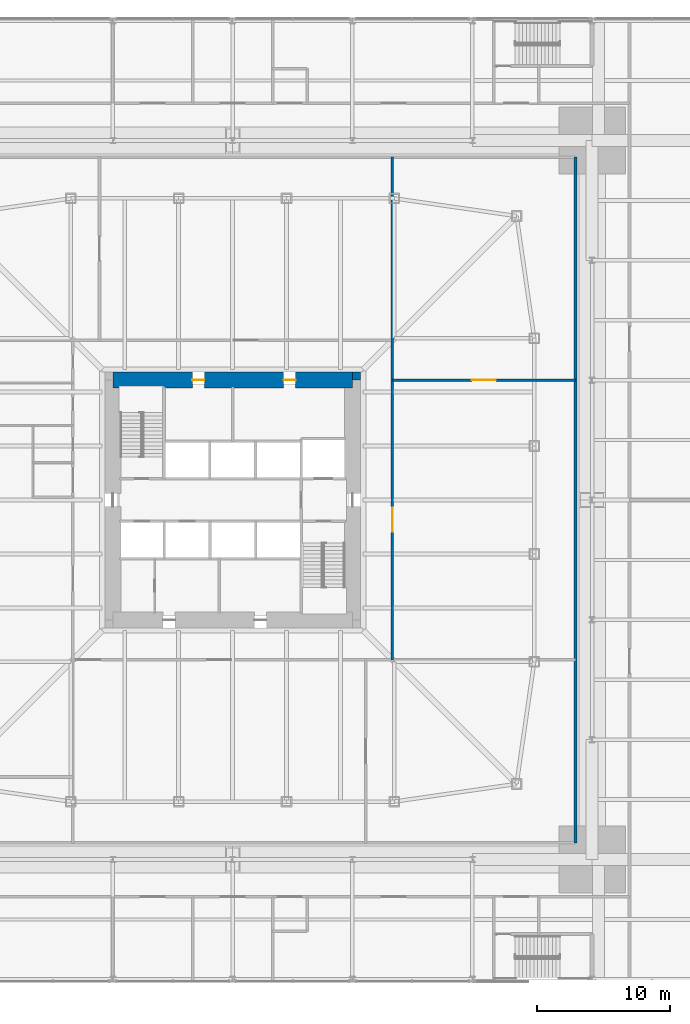
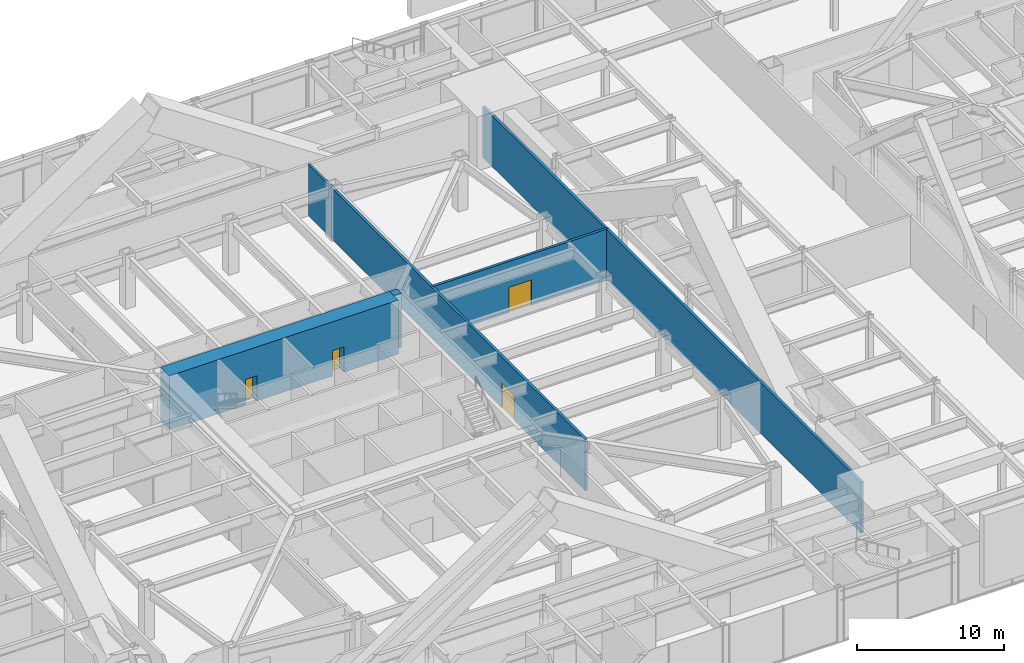
# One storey, part 23 of 32: 5 walls, 4 doors, 4 openings.
"""IFC4 building model written with IfcOpenShell, lengths in metres."""

from ifc_helpers import new_model, si_unit, direction, frame, frame_2d, origin, place, context, subcontext, project, spatial, rectangle, extrude, material, layer, layer_set, type_object, element, fill, save


model = new_model("IFC4")

# Units and contexts
model_context = context("Model", 3, precision=1e-05, world=origin(), true_north=direction((0.0, 1.0)))
body_context = subcontext(model_context, "Body", "Model", "MODEL_VIEW")
ifc_project = project(units=[si_unit("LENGTHUNIT", "METRE"), si_unit("AREAUNIT", "SQUARE_METRE"), si_unit("VOLUMEUNIT", "CUBIC_METRE"), si_unit("PLANEANGLEUNIT", "RADIAN"), si_unit("MASSUNIT", "GRAM", prefix="KILO")], contexts=[model_context])

# Site, building, storey
site_placement = place(None, origin())
site = spatial("IfcSite", under=ifc_project, at=site_placement, CompositionType="ELEMENT")
building_placement = place(site_placement, origin())
building = spatial("IfcBuilding", under=site, at=building_placement, Name="Iwan Alto Co-Living Towers", CompositionType="ELEMENT")
storey_placement = place(building_placement, frame((0.0, 0.0, 6.0)))
storey = spatial("IfcBuildingStorey", under=building, at=storey_placement, Name="L01", CompositionType="ELEMENT", Elevation=6.0)

# Wall, opening, door
ifc_material_1 = material(Name="Concrete block masonry f*p 10 MPa", Category="masonry")
ifc_layer_1 = layer(ifc_material_1, 0.199951171875)
ifc_layer_set_1 = layer_set([ifc_layer_1], Name="PODIUM INTERNAL WALL 200")
wall_type_1 = type_object("IfcWallType", Name="PODIUM INTERNAL WALL 200", PredefinedType="SOLIDWALL", material=ifc_layer_set_1)
wall_1_placement = place(storey_placement, frame((12.0, 9.0, 0.0), z_axis=(0.0, 0.0, 1.0), x_axis=(1.0, 0.0, 0.0)))
wall_1 = element("IfcWall", 1, at=wall_1_placement, inside=storey, type_object=wall_type_1, Name="Partition L01", PredefinedType="SOLIDWALL", context=body_context, shape_type="SweptSolid", body=[
    extrude(rectangle(XDim=13.75, YDim=0.199951171875, at=frame_2d((6.875, 0.0))), origin(), (0.0, 0.0, 1.0), 4.25),
])
opening_1_placement = place(wall_1_placement, frame((5.97509765625, 0.0, 0.0)))
opening_1 = element("IfcOpeningElement", 2, at=opening_1_placement, cuts=wall_1, Name="Opening D9", PredefinedType="OPENING", context=body_context, shape_type="SweptSolid", body=[
    extrude(rectangle(XDim=1.800048828125, YDim=2.10009765625, at=frame_2d((0.89990234375, 1.050048828125))), frame((0.0, 0.10986328125, 0.0), z_axis=(0.0, -1.0, 0.0), x_axis=(1.0, 0.0, 0.0)), (0.0, 0.0, 1.0), 0.219970703125),
])
ifc_material_2 = material(Name="Steel frame with timber leaf", Category="steel")
door_type_1 = type_object("IfcDoorType", Name="LOUNGE DOOR FD30S 1800X2100", OperationType="DOUBLE_DOOR_SINGLE_SWING", PredefinedType="DOOR", material=ifc_material_2)
door_1_placement = place(opening_1_placement, frame((1.800048828125, 0.0, 0.0), z_axis=(0.0, 0.0, 1.0), x_axis=(-1.0, 0.0, 0.0)))
door_1 = element("IfcDoor", 3, at=door_1_placement, inside=storey, type_object=door_type_1, Name="Meeting room door L01", OperationType="DOUBLE_DOOR_SINGLE_SWING", OverallHeight=2.10009765625, OverallWidth=1.800048828125, PredefinedType="DOOR", context=body_context, shape_type="SweptSolid", body=[
    extrude(rectangle(XDim=1.800048828125, YDim=2.10009765625, at=frame_2d((0.89990234375, 1.050048828125))), frame((0.0, 0.02490234375, 0.0), z_axis=(0.0, -1.0, 0.0), x_axis=(1.0, 0.0, 0.0)), (0.0, 0.0, 1.0), 0.050048828125),
])
fill(opening_1, door_1)

# Wall
wall_2_placement = place(storey_placement, frame((25.75, -25.75, 0.0), z_axis=(0.0, 0.0, 1.0), x_axis=(0.0, 1.0, 0.0)))
element("IfcWall", 4, at=wall_2_placement, inside=storey, type_object=wall_type_1, Name="Partition L01", PredefinedType="SOLIDWALL", context=body_context, shape_type="SweptSolid", body=[
    extrude(rectangle(XDim=51.5, YDim=0.199951171875, at=frame_2d((25.75, 0.0))), origin(), (0.0, 0.0, 1.0), 4.25),
])

# Wall, opening, door
wall_3_placement = place(storey_placement, frame((12.0, -12.0, 0.0), z_axis=(0.0, 0.0, 1.0), x_axis=(0.0, 1.0, 0.0)))
wall_3 = element("IfcWall", 5, at=wall_3_placement, inside=storey, type_object=wall_type_1, Name="Partition L01", PredefinedType="SOLIDWALL", context=body_context, shape_type="SweptSolid", body=[
    extrude(rectangle(XDim=37.75, YDim=0.199951171875, at=frame_2d((18.875, 0.0))), origin(), (0.0, 0.0, 1.0), 4.25),
])
opening_2_placement = place(wall_3_placement, frame((9.60009765625, 0.0, 0.0)))
opening_2 = element("IfcOpeningElement", 6, at=opening_2_placement, cuts=wall_3, Name="Opening D9", PredefinedType="OPENING", context=body_context, shape_type="SweptSolid", body=[
    extrude(rectangle(XDim=1.800048828125, YDim=2.10009765625, at=frame_2d((0.89990234375, 1.050048828125))), frame((0.0, 0.10986328125, 0.0), z_axis=(0.0, -1.0, 0.0), x_axis=(1.0, 0.0, 0.0)), (0.0, 0.0, 1.0), 0.219970703125),
])
door_2_placement = place(opening_2_placement, frame((1.800048828125, 0.0, 0.0), z_axis=(0.0, 0.0, 1.0), x_axis=(-1.0, 0.0, 0.0)))
door_2 = element("IfcDoor", 7, at=door_2_placement, inside=storey, type_object=door_type_1, Name="Residents' study hall door L01", OperationType="DOUBLE_DOOR_SINGLE_SWING", OverallHeight=2.10009765625, OverallWidth=1.800048828125, PredefinedType="DOOR", context=body_context, shape_type="SweptSolid", body=[
    extrude(rectangle(XDim=1.800048828125, YDim=2.10009765625, at=frame_2d((0.89990234375, 1.050048828125))), frame((0.0, 0.02490234375, 0.0), z_axis=(0.0, -1.0, 0.0), x_axis=(1.0, 0.0, 0.0)), (0.0, 0.0, 1.0), 0.050048828125),
])
fill(opening_2, door_2)

# Wall
ifc_material_3 = material(Name="Concrete f'c 70 MPa", Category="concrete")
ifc_layer_2 = layer(ifc_material_3, 0.60009765625)
ifc_layer_set_2 = layer_set([ifc_layer_2], Name="T1 CORE CORNER FILL 600")
wall_type_2 = type_object("IfcWallType", Name="T1 CORE CORNER FILL 600", PredefinedType="SOLIDWALL", material=ifc_layer_set_2)
wall_4_placement = place(storey_placement, frame((9.0, 9.300048828125, 0.0), z_axis=(0.0, 0.0, 1.0), x_axis=(1.0, 0.0, 0.0)))
element("IfcWall", 8, at=wall_4_placement, inside=storey, type_object=wall_type_2, Name="T1 core corner NE L01", PredefinedType="SOLIDWALL", context=body_context, shape_type="SweptSolid", body=[
    extrude(rectangle(XDim=0.60009765625, YDim=0.60009765625, at=frame_2d((0.300048828125, 0.0))), origin(), (0.0, 0.0, 1.0), 4.5),
])

# Wall, openings, doors
ifc_material_4 = material(Name="Concrete f'c 70 MPa", Category="concrete")
ifc_layer_3 = layer(ifc_material_4, 1.199951171875)
ifc_layer_set_3 = layer_set([ifc_layer_3], Name="T1 CORE WALL 1200")
wall_type_3 = type_object("IfcWallType", Name="T1 CORE WALL 1200", PredefinedType="SHEAR", material=ifc_layer_set_3)
wall_5_placement = place(storey_placement, frame((9.0, 9.0, 0.0), z_axis=(0.0, 0.0, 1.0), x_axis=(-1.0, 0.0, 0.0)))
wall_5 = element("IfcWall", 9, at=wall_5_placement, inside=storey, type_object=wall_type_3, Name="T1 core wall N L01", PredefinedType="SHEAR", context=body_context, shape_type="SweptSolid", body=[
    extrude(rectangle(XDim=18.0, YDim=1.199951171875, at=frame_2d((9.0, 0.0))), origin(), (0.0, 0.0, 1.0), 4.5),
])
opening_3_placement = place(wall_5_placement, frame((11.125, 0.0, 0.0)))
opening_3 = element("IfcOpeningElement", 10, at=opening_3_placement, cuts=wall_5, Name="Opening D8", PredefinedType="OPENING", context=body_context, shape_type="SweptSolid", body=[
    extrude(rectangle(XDim=0.89990234375, YDim=2.10009765625, at=frame_2d((0.449951171875, 1.050048828125))), frame((0.0, 0.60986328125, 0.0), z_axis=(0.0, -1.0, 0.0), x_axis=(1.0, 0.0, 0.0)), (0.0, 0.0, 1.0), 1.219970703125),
])
opening_4_placement = place(wall_5_placement, frame((4.27490234375, 0.0, 0.0)))
opening_4 = element("IfcOpeningElement", 11, at=opening_4_placement, cuts=wall_5, Name="Opening D8", PredefinedType="OPENING", context=body_context, shape_type="SweptSolid", body=[
    extrude(rectangle(XDim=0.89990234375, YDim=2.10009765625, at=frame_2d((0.449951171875, 1.050048828125))), frame((0.0, 0.60986328125, 0.0), z_axis=(0.0, -1.0, 0.0), x_axis=(1.0, 0.0, 0.0)), (0.0, 0.0, 1.0), 1.219970703125),
])
ifc_material_5 = material(Name="Steel frame with timber leaf", Category="steel")
door_type_2 = type_object("IfcDoorType", Name="RISER DOOR FD120 900X2100", OperationType="SINGLE_SWING_LEFT", PredefinedType="DOOR", material=ifc_material_5)
door_3_placement = place(opening_3_placement, origin())
door_3 = element("IfcDoor", 12, at=door_3_placement, inside=storey, type_object=door_type_2, Name="Electrical riser core door L01", OperationType="SINGLE_SWING_RIGHT", OverallHeight=2.10009765625, OverallWidth=0.89990234375, PredefinedType="DOOR", context=body_context, shape_type="SweptSolid", body=[
    extrude(rectangle(XDim=0.89990234375, YDim=2.10009765625, at=frame_2d((0.449951171875, 1.050048828125))), frame((0.0, 0.02490234375, 0.0), z_axis=(0.0, -1.0, 0.0), x_axis=(1.0, 0.0, 0.0)), (0.0, 0.0, 1.0), 0.050048828125),
])
fill(opening_3, door_3)
door_4_placement = place(opening_4_placement, origin())
door_4 = element("IfcDoor", 13, at=door_4_placement, inside=storey, type_object=door_type_2, Name="Water and drainage riser core door L01", OperationType="SINGLE_SWING_RIGHT", OverallHeight=2.10009765625, OverallWidth=0.89990234375, PredefinedType="DOOR", context=body_context, shape_type="SweptSolid", body=[
    extrude(rectangle(XDim=0.89990234375, YDim=2.10009765625, at=frame_2d((0.449951171875, 1.050048828125))), frame((0.0, 0.02490234375, 0.0), z_axis=(0.0, -1.0, 0.0), x_axis=(1.0, 0.0, 0.0)), (0.0, 0.0, 1.0), 0.050048828125),
])
fill(opening_4, door_4)

save(model, "model.ifc")
